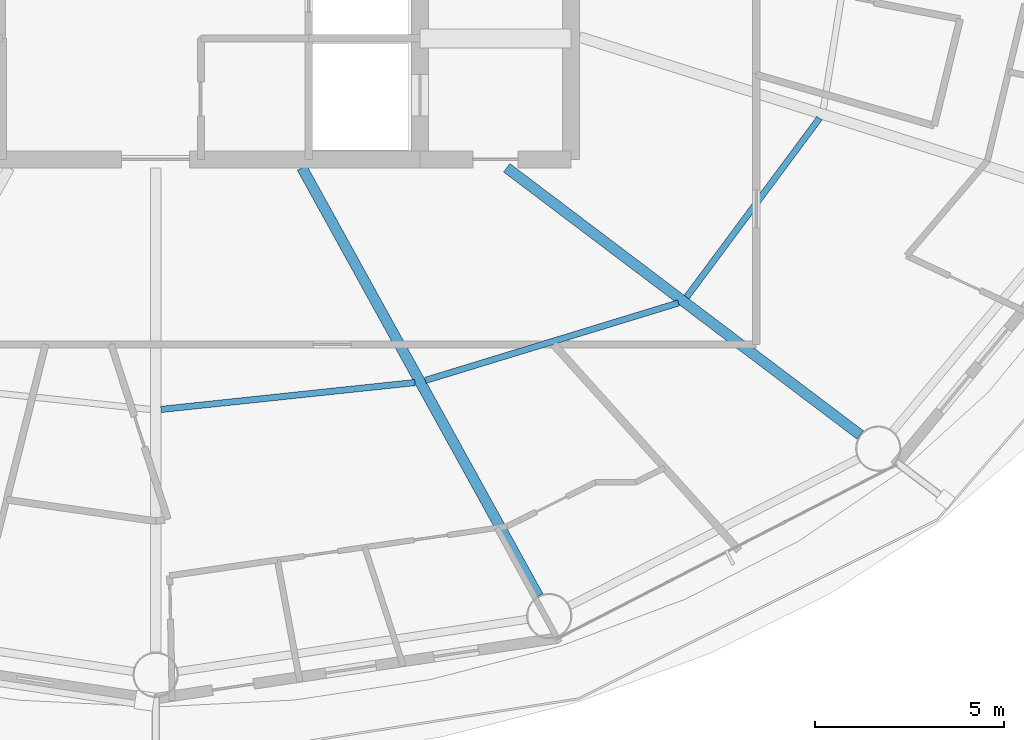
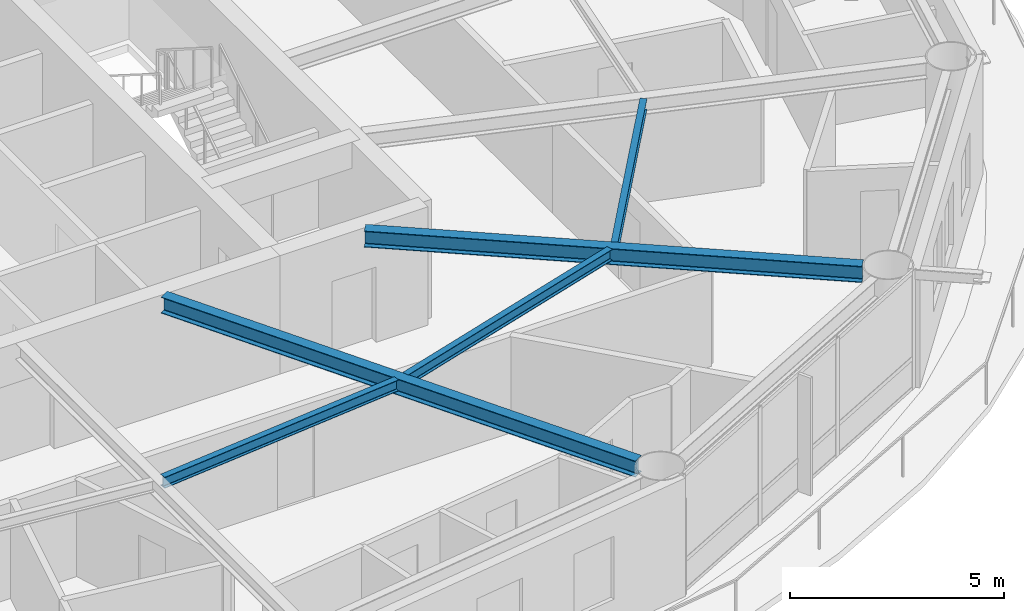
# One storey, part 6 of 27: 5 beams.
"""IFC4 building model written with IfcOpenShell, lengths in metres."""

from ifc_helpers import new_model, si_unit, direction, frame, origin, origin_2d, place, context, subcontext, project, spatial, i_section, extrude, material, material_profile, profile_set, type_object, element, save


model = new_model("IFC4")

# Units and contexts
model_context = context("Model", 3, precision=1e-05, world=origin(), true_north=direction((0.0, 1.0)))
body_context = subcontext(model_context, "Body", "Model", "MODEL_VIEW")
ifc_project = project(units=[si_unit("LENGTHUNIT", "METRE"), si_unit("AREAUNIT", "SQUARE_METRE"), si_unit("VOLUMEUNIT", "CUBIC_METRE"), si_unit("PLANEANGLEUNIT", "RADIAN"), si_unit("MASSUNIT", "GRAM", prefix="KILO")], contexts=[model_context])

# Site, building, storey
site_placement = place(None, origin())
site = spatial("IfcSite", under=ifc_project, at=site_placement, CompositionType="ELEMENT")
building_placement = place(site_placement, origin())
building = spatial("IfcBuilding", under=site, at=building_placement, Name="Sarneth Arch Tower", CompositionType="ELEMENT")
storey_placement = place(building_placement, frame((0.0, 0.0, 186.60009765625)))
storey = spatial("IfcBuildingStorey", under=building, at=storey_placement, Name="L47", CompositionType="ELEMENT", Elevation=186.60009765625)

# Beams
ifc_material_1 = material(Name="Steel S355", Category="steel")
ifc_material_profile_1 = material_profile(ifc_material_1, i_section(OverallWidth=0.1669921875, OverallDepth=0.31689453125, WebThickness=0.007568359375, FlangeThickness=0.01318359375, FilletRadius=0.012939453125, at=origin_2d()), Name="W310x52")
ifc_profile_set_1 = profile_set([ifc_material_profile_1], Name="Steel S355")
beam_type_1 = type_object("IfcBeamType", Name="BM-JOIST-310B", PredefinedType="JOIST", material=ifc_profile_set_1)
beam_1_placement = place(storey_placement, frame((48.13916015625, 28.5771484375, 3.221435546875), z_axis=(0.994447340543, 0.105235387994, 0.0), x_axis=(-0.105235387994, 0.994447340543, 0.0)))
element("IfcBeam", 1, at=beam_1_placement, inside=storey, type_object=beam_type_1, Name="L47 Secondary floor joist 13", PredefinedType="JOIST", context=body_context, shape_type="SweptSolid", body=[
    extrude(i_section(OverallWidth=0.1669921875, OverallDepth=0.31689453125, WebThickness=0.007568359375, FlangeThickness=0.01318359375, FilletRadius=0.012939453125, at=origin_2d()), origin(), (0.0, 0.0, 1.0), 6.7626953125),
])
beam_2_placement = place(storey_placement, frame((55.137451171875, 29.344482421875, 3.221435546875), z_axis=(0.956178669891, 0.292783796076, 0.0), x_axis=(-0.292783796076, 0.956178669891, 0.0)))
element("IfcBeam", 2, at=beam_2_placement, inside=storey, type_object=beam_type_1, Name="L47 Secondary floor joist 14", PredefinedType="JOIST", context=body_context, shape_type="SweptSolid", body=[
    extrude(i_section(OverallWidth=0.1669921875, OverallDepth=0.31689453125, WebThickness=0.007568359375, FlangeThickness=0.01318359375, FilletRadius=0.012939453125, at=origin_2d()), origin(), (0.0, 0.0, 1.0), 7.010986328125),
])
beam_3_placement = place(storey_placement, frame((62.058837890625, 31.550537109375, 3.221435546875), z_axis=(0.596190586674, 0.802842938788, 0.0), x_axis=(-0.802842938788, 0.596190586674, 0.0)))
element("IfcBeam", 3, at=beam_3_placement, inside=storey, type_object=beam_type_1, Name="L47 Secondary floor joist 15", PredefinedType="JOIST", context=body_context, shape_type="SweptSolid", body=[
    extrude(i_section(OverallWidth=0.1669921875, OverallDepth=0.31689453125, WebThickness=0.007568359375, FlangeThickness=0.01318359375, FilletRadius=0.012939453125, at=origin_2d()), origin(), (0.0, 0.0, 1.0), 5.896484375),
])
ifc_material_2 = material(Name="Steel S355", Category="steel")
ifc_material_profile_2 = material_profile(ifc_material_2, i_section(OverallWidth=0.280029296875, OverallDepth=0.462890625, WebThickness=0.0107421875, FlangeThickness=0.017333984375, FilletRadius=0.01806640625, at=origin_2d()), Name="W460x113")
ifc_profile_set_2 = profile_set([ifc_material_profile_2], Name="Steel S355")
beam_type_2 = type_object("IfcBeamType", Name="BM-RAD-460A", PredefinedType="BEAM", material=ifc_profile_set_2)
beam_4_placement = place(storey_placement, frame((51.875, 34.97509765625, 3.1484375), z_axis=(0.483010082599, -0.875614789795, 0.0), x_axis=(0.875614789795, 0.483010082599, 0.0)))
element("IfcBeam", 4, at=beam_4_placement, inside=storey, type_object=beam_type_2, Name="L47 Radial floor girder 14", PredefinedType="BEAM", context=body_context, shape_type="SweptSolid", body=[
    extrude(i_section(OverallWidth=0.280029296875, OverallDepth=0.462890625, WebThickness=0.0107421875, FlangeThickness=0.017333984375, FilletRadius=0.01806640625, at=origin_2d()), origin(), (0.0, 0.0, 1.0), 12.954345703125),
])
beam_5_placement = place(storey_placement, frame((57.29541015625, 34.97509765625, 3.1484375), z_axis=(0.797784574467, -0.602942594898, 0.0), x_axis=(0.602942594898, 0.797784574467, 0.0)))
element("IfcBeam", 5, at=beam_5_placement, inside=storey, type_object=beam_type_2, Name="L47 Radial floor girder 15", PredefinedType="BEAM", context=body_context, shape_type="SweptSolid", body=[
    extrude(i_section(OverallWidth=0.280029296875, OverallDepth=0.462890625, WebThickness=0.0107421875, FlangeThickness=0.017333984375, FilletRadius=0.01806640625, at=origin_2d()), origin(), (0.0, 0.0, 1.0), 11.73193359375),
])

save(model, "model.ifc")
